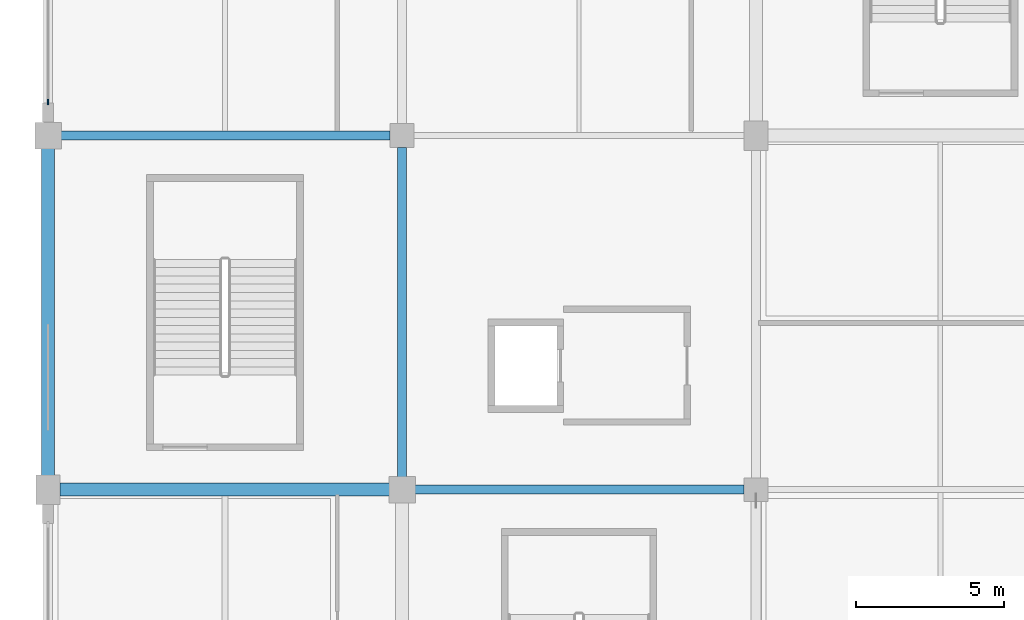
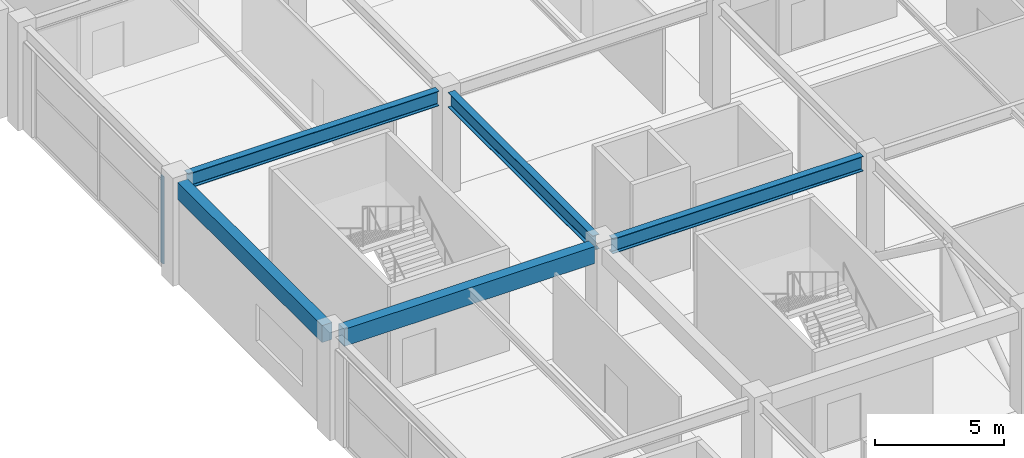
# One storey, part 25 of 116: 5 beams, 1 member, 1 element without a shape of its own.
"""IFC4 building model written with IfcOpenShell, lengths in metres."""

import ifcopenshell
import ifcopenshell.guid

model = None  # the IFC model being written
_history = None  # IfcOwnerHistory: only IFC2X3 demands one
_inside = {}  # id of a spatial element -> (the spatial element, [elements in it])
_under = {}  # id of a project, library or spatial element -> (it, [spatial elements below it])
_declared = {}  # id of a project -> (the project, [libraries it declares])
_typed = {}  # id of a type object -> (the type object, [elements of that type])
_made_of = {}  # id of a material, layer set ... -> (it, [elements and type objects made of it])


def new_model(schema):
    """Start an empty IFC model of exactly this schema.

    Asked for "IFC4X3", IfcOpenShell would pick the latest addendum, in which some entities
    have other attributes; the version numbers below select the first issue.
    IFC2X3 requires an IfcOwnerHistory on every rooted entity: one is made here for all.
    """
    global model, _history
    if schema == "IFC4X3":
        model = ifcopenshell.file(schema_version=(4, 3, 0, 0))
    else:
        model = ifcopenshell.file(schema=schema)
    _inside.clear()
    _under.clear()
    _declared.clear()
    _typed.clear()
    _made_of.clear()
    _history = None
    if model.schema == "IFC2X3":
        org = make("IfcOrganization", Name="unknown")
        user = make(
            "IfcPersonAndOrganization",
            ThePerson=make("IfcPerson", FamilyName="unknown"),
            TheOrganization=org,
        )
        app = make(
            "IfcApplication",
            ApplicationDeveloper=org,
            Version="unknown",
            ApplicationFullName="unknown",
            ApplicationIdentifier="unknown",
        )
        _history = make(
            "IfcOwnerHistory",
            OwningUser=user,
            OwningApplication=app,
            ChangeAction="ADDED",
            CreationDate=0,
        )
    return model


def make(cls, **values):
    """One entity of the class cls with the attributes given. An attribute that is None is left unset."""
    return model.create_entity(
        cls, **{name: value for name, value in values.items() if value is not None}
    )


def rooted(cls, **values):
    """An entity with a GlobalId (a new one), such as an element, a storey or a relation."""
    return make(cls, GlobalId=ifcopenshell.guid.new(), OwnerHistory=_history, **values)


def si_unit(unit_type, name, prefix=None):
    """IfcSIUnit, for example si_unit("LENGTHUNIT", "METRE", prefix="MILLI")."""
    return make("IfcSIUnit", UnitType=unit_type, Prefix=prefix, Name=name)


def assignment(units):
    """IfcUnitAssignment: the units of a project."""
    return None if units is None else make("IfcUnitAssignment", Units=units)


def point(xyz):
    """IfcCartesianPoint."""
    return None if xyz is None else make("IfcCartesianPoint", Coordinates=xyz)


def direction(xyz):
    """IfcDirection."""
    return None if xyz is None else make("IfcDirection", DirectionRatios=xyz)


def frame(location, z_axis=None, x_axis=None):
    """IfcAxis2Placement3D, a coordinate frame: its origin and axes. An axis left out is left unset."""
    return make(
        "IfcAxis2Placement3D",
        Location=point(location),
        Axis=direction(z_axis),
        RefDirection=direction(x_axis),
    )


def frame_2d(location, x_axis=None):
    """IfcAxis2Placement2D, a coordinate frame in the plane: its origin and x axis."""
    return make(
        "IfcAxis2Placement2D", Location=point(location), RefDirection=direction(x_axis)
    )


def origin():
    """The frame at (0, 0, 0) with its axes left unset."""
    return frame((0.0, 0.0, 0.0))


def origin_2d():
    """The frame at (0, 0) in the plane with its x axis left unset."""
    return frame_2d((0.0, 0.0))


def place(relative_to, where):
    """IfcLocalPlacement: puts the frame where relative to a parent placement (None: the world)."""
    return make(
        "IfcLocalPlacement", PlacementRelTo=relative_to, RelativePlacement=where
    )


def context(
    kind, dimensions, precision=None, world=None, true_north=None, identifier=None
):
    """IfcGeometricRepresentationContext, for example the 3D "Model" context."""
    return make(
        "IfcGeometricRepresentationContext",
        ContextIdentifier=identifier,
        ContextType=kind,
        CoordinateSpaceDimension=dimensions,
        Precision=precision,
        WorldCoordinateSystem=world,
        TrueNorth=true_north,
    )


def subcontext(parent, identifier, kind, view, scale=None):
    """IfcGeometricRepresentationSubContext, for example "Body" below "Model"."""
    return make(
        "IfcGeometricRepresentationSubContext",
        ContextIdentifier=identifier,
        ContextType=kind,
        ParentContext=parent,
        TargetScale=scale,
        TargetView=view,
    )


def project(units=None, contexts=None):
    """IfcProject with its units and contexts."""
    return rooted(
        "IfcProject",
        Name="project",
        RepresentationContexts=contexts,
        UnitsInContext=assignment(units),
    )


def spatial(cls, under=None, at=None, **own):
    """A site, building, storey or space (cls), placed at a placement, below another one or the project."""
    s = rooted(cls, ObjectPlacement=at, **own)
    if under is not None:
        _under.setdefault(under.id(), (under, []))[1].append(s)
    return s


def profile(cls, at=None, kind="AREA", **sizes):
    """A parametric profile (cls). Its sizes go by their IFC names, for example OverallWidth=200.0."""
    return make(cls, ProfileType=kind, Position=at, **sizes)


def rectangle(**sizes):
    """IfcRectangleProfileDef."""
    return profile("IfcRectangleProfileDef", **sizes)


def i_section(**sizes):
    """IfcIShapeProfileDef."""
    return profile("IfcIShapeProfileDef", **sizes)


def extrude(swept, where, along, depth):
    """IfcExtrudedAreaSolid: the profile swept, set in the frame where, extruded along a direction by depth."""
    return make(
        "IfcExtrudedAreaSolid",
        SweptArea=swept,
        Position=where,
        ExtrudedDirection=direction(along),
        Depth=depth,
    )


def shape(context_of_items, identifier, shape_type, items):
    """IfcShapeRepresentation: the items that make up one representation, for example the "Body"."""
    return make(
        "IfcShapeRepresentation",
        ContextOfItems=context_of_items,
        RepresentationIdentifier=identifier,
        RepresentationType=shape_type,
        Items=items,
    )


def material(Name=None, Category=None):
    """IfcMaterial."""
    return make("IfcMaterial", Name=Name, Category=Category)


def layer(
    of_material, thickness, ventilated=None, Name=None, Category=None, Priority=None
):
    """IfcMaterialLayer: one layer of a wall or slab, of a material (None: an air gap)."""
    return make(
        "IfcMaterialLayer",
        Material=of_material,
        LayerThickness=thickness,
        IsVentilated=ventilated,
        Name=Name,
        Category=Category,
        Priority=Priority,
    )


def layer_set(layers, Name=None):
    """IfcMaterialLayerSet."""
    return make("IfcMaterialLayerSet", MaterialLayers=layers, LayerSetName=Name)


def material_profile(
    of_material, cross_section, Name=None, Category=None, Priority=None
):
    """IfcMaterialProfile: a cross section and its material."""
    return make(
        "IfcMaterialProfile",
        Name=Name,
        Material=of_material,
        Profile=cross_section,
        Priority=Priority,
        Category=Category,
    )


def profile_set(profiles, Name=None, composite=None):
    """IfcMaterialProfileSet."""
    return make(
        "IfcMaterialProfileSet",
        Name=Name,
        MaterialProfiles=profiles,
        CompositeProfile=composite,
    )


def made_of(thing, what):
    """Note that an element or type object is made of a material, layer set ...; save() writes the relation."""
    if what is not None:
        _made_of.setdefault(what.id(), (what, []))[1].append(thing)
    return thing


def type_object(cls, material=None, **own):
    """A type object (cls), such as IfcWallType, which elements share."""
    return made_of(rooted(cls, **own), material)


def element(
    cls,
    number,
    at=None,
    inside=None,
    cuts=None,
    type_object=None,
    material=None,
    context=None,
    identifier="Body",
    shape_type=None,
    held_by="IfcProductDefinitionShape",
    body=None,
    shapes=None,
    **own,
):
    """One element of the class cls, such as IfcWall. Its Tag is "e" and its number.

    at: its placement. inside: the storey or other place that contains it. cuts: it is an
    opening in that element (IfcRelVoidsElement). A single representation is given by context,
    identifier, shape_type and body (its items); several are given by shapes. held_by: the class
    of the entity that holds the representations. save() writes the other relations.
    """
    e = rooted(cls, Tag="e%d" % number, ObjectPlacement=at, **own)
    if body is not None:
        shapes = [shape(context, identifier, shape_type, body)]
    if shapes is not None:
        e.Representation = make(held_by, Representations=shapes)
    if inside is not None:
        _inside.setdefault(inside.id(), (inside, []))[1].append(e)
    if cuts is not None:
        rooted(
            "IfcRelVoidsElement", RelatingBuildingElement=cuts, RelatedOpeningElement=e
        )
    if type_object is not None:
        _typed.setdefault(type_object.id(), (type_object, []))[1].append(e)
    return made_of(e, material)


def aggregate(whole, parts):
    """IfcRelAggregates: a whole, such as a stair, and the parts it consists of."""
    return rooted("IfcRelAggregates", RelatingObject=whole, RelatedObjects=parts)


def save(model, path):
    """Write the relations noted so far, then the file.

    IfcRelAggregates (storeys below a building ...), IfcRelContainedInSpatialStructure (elements
    in a storey), IfcRelDefinesByType, IfcRelAssociatesMaterial and IfcRelDeclares: one each for
    every whole, place, type object, material and project.
    """
    for whole, parts in _under.values():
        aggregate(whole, parts)
    for where, things in _inside.values():
        rooted(
            "IfcRelContainedInSpatialStructure",
            RelatedElements=things,
            RelatingStructure=where,
        )
    for kind, things in _typed.values():
        rooted("IfcRelDefinesByType", RelatedObjects=things, RelatingType=kind)
    for what, things in _made_of.values():
        rooted("IfcRelAssociatesMaterial", RelatedObjects=things, RelatingMaterial=what)
    for by, libraries in _declared.values():
        rooted("IfcRelDeclares", RelatingContext=by, RelatedDefinitions=libraries)
    model.write(path)


model = new_model("IFC4")

# Units and contexts
model_context = context("Model", 3, precision=1e-05, world=origin(), true_north=direction((0.0, 1.0)))
body_context = subcontext(model_context, "Body", "Model", "MODEL_VIEW")
ifc_project = project(units=[si_unit("LENGTHUNIT", "METRE"), si_unit("AREAUNIT", "SQUARE_METRE"), si_unit("VOLUMEUNIT", "CUBIC_METRE"), si_unit("PLANEANGLEUNIT", "RADIAN"), si_unit("MASSUNIT", "GRAM", prefix="KILO")], contexts=[model_context])

# Site, building, storey
site_placement = place(None, origin())
site = spatial("IfcSite", under=ifc_project, at=site_placement, CompositionType="ELEMENT")
building_placement = place(site_placement, origin())
building = spatial("IfcBuilding", under=site, at=building_placement, Name="Kazenohara Klinker Stadium", CompositionType="ELEMENT")
storey_placement = place(building_placement, frame((0.0, 0.0, 10.199951171875)))
storey = spatial("IfcBuildingStorey", under=building, at=storey_placement, Name="L02", CompositionType="ELEMENT", Elevation=10.199951171875)

# Beams
ifc_material_1 = material(Name="Concrete C40/50", Category="concrete")
ifc_material_profile_1 = material_profile(ifc_material_1, rectangle(XDim=0.449951171875, YDim=0.800048828125, at=origin_2d()), Name="RC-BM-450x800")
ifc_profile_set_1 = profile_set([ifc_material_profile_1], Name="Concrete C40/50")
beam_type_1 = type_object("IfcBeamType", Name="BM-RC03", PredefinedType="BEAM", material=ifc_profile_set_1)
beam_1_placement = place(storey_placement, frame((0.39990234375, 108.0, 4.420166015625), z_axis=(1.0, 0.0, 0.0), x_axis=(0.0, 1.0, 0.0)))
element("IfcBeam", 1, at=beam_1_placement, inside=storey, type_object=beam_type_1, Name="Primary girder BG03 L02 1-2/K", PredefinedType="BEAM", context=body_context, shape_type="SweptSolid", body=[
    extrude(rectangle(XDim=0.449951171875, YDim=0.800048828125, at=origin_2d()), origin(), (0.0, 0.0, 1.0), 11.18017578125),
])
beam_2_placement = place(storey_placement, frame((0.0, 108.419921875, 4.420166015625), z_axis=(0.0, 1.0, 0.0), x_axis=(-1.0, 0.0, 0.0)))
element("IfcBeam", 2, at=beam_2_placement, inside=storey, type_object=beam_type_1, Name="Primary girder BG03 L02 1/K-L", PredefinedType="BEAM", context=body_context, shape_type="SweptSolid", body=[
    extrude(rectangle(XDim=0.449951171875, YDim=0.800048828125, at=origin_2d()), origin(), (0.0, 0.0, 1.0), 11.16015625),
])
ifc_material_2 = material(Name="Steel S355", Category="steel")
ifc_material_profile_2 = material_profile(ifc_material_2, i_section(OverallWidth=0.300048828125, OverallDepth=0.699951171875, WebThickness=0.012939453125, FlangeThickness=0.02392578125, FilletRadius=0.02197265625, at=origin_2d()), Name="H-700x300x13x24")
ifc_profile_set_2 = profile_set([ifc_material_profile_2], Name="Steel S355")
beam_type_2 = type_object("IfcBeamType", Name="BM-ST03", PredefinedType="BEAM", material=ifc_profile_set_2)
for number, where, z_axis, x_axis, name in (
    (3, (0.419921875, 120.0, 4.469970703125), (1.0, 0.0, 0.0), (0.0, 1.0, 0.0), "Primary girder SB03 L02 1-2/L"),
    (4, (12.419921875, 108.0, 4.469970703125), (1.0, 0.0, 0.0), (0.0, 1.0, 0.0), "Primary girder SB03 L02 2-3/K"),
    (5, (12.0, 108.419921875, 4.469970703125), (0.0, 1.0, 0.0), (-1.0, 0.0, 0.0), "Primary girder SB03 L02 2/K-L"),
):
    element("IfcBeam", number, at=place(storey_placement, frame(where, z_axis=z_axis, x_axis=x_axis)), inside=storey, type_object=beam_type_2, Name=name, PredefinedType="BEAM", context=body_context, shape_type="SweptSolid", body=[
        extrude(i_section(OverallWidth=0.300048828125, OverallDepth=0.699951171875, WebThickness=0.012939453125, FlangeThickness=0.02392578125, FilletRadius=0.02197265625, at=origin_2d()), origin(), (0.0, 0.0, 1.0), 11.18017578125),
    ])

# Curtain wall, member
ifc_material_3 = material(Name="Anodised aluminium and triple glazing", Category="aluminium")
ifc_layer = layer(ifc_material_3, 0.159912109375)
ifc_layer_set = layer_set([ifc_layer], Name="Anodised aluminium and triple glazing")
curtain_wall_type = type_object("IfcCurtainWallType", Name="CW-SYS-01", PredefinedType="USERDEFINED", material=ifc_layer_set)
curtain_wall_placement = place(storey_placement, origin())
curtain_wall = element("IfcCurtainWall", 6, at=curtain_wall_placement, inside=storey, type_object=curtain_wall_type, Name="Unitised facade curtain wall CW01 L02 Y0-10", ObjectType="UNITISED CURTAIN WALL", PredefinedType="USERDEFINED")
ifc_material_4 = material(Name="Anodised aluminium 6063-T6", Category="aluminium")
ifc_material_profile_3 = material_profile(ifc_material_4, rectangle(XDim=0.06494140625, YDim=0.179931640625, at=origin_2d()), Name="ALU-MUL-65x180")
ifc_profile_set_3 = profile_set([ifc_material_profile_3], Name="Anodised aluminium 6063-T6")
member_type = type_object("IfcMemberType", Name="CW-MUL-180", PredefinedType="MULLION", material=ifc_profile_set_3)
member_placement = place(storey_placement, frame((0.0, 121.136474609375, 0.0), z_axis=(0.0, 0.0, 1.0), x_axis=(-1.0, 0.0, 0.0)))
member = element("IfcMember", 7, at=member_placement, type_object=member_type, Name="CW01 mullion 1", PredefinedType="MULLION", context=body_context, shape_type="SweptSolid", body=[
    extrude(rectangle(XDim=0.06494140625, YDim=0.179931640625, at=origin_2d()), origin(), (0.0, 0.0, 1.0), 4.1201171875),
])
aggregate(curtain_wall, [member])

save(model, "model.ifc")
